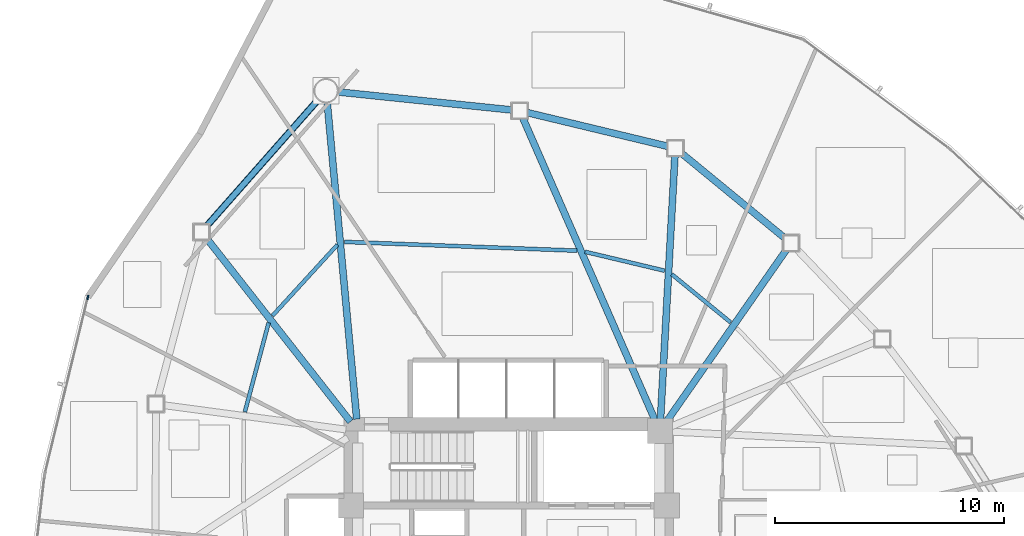
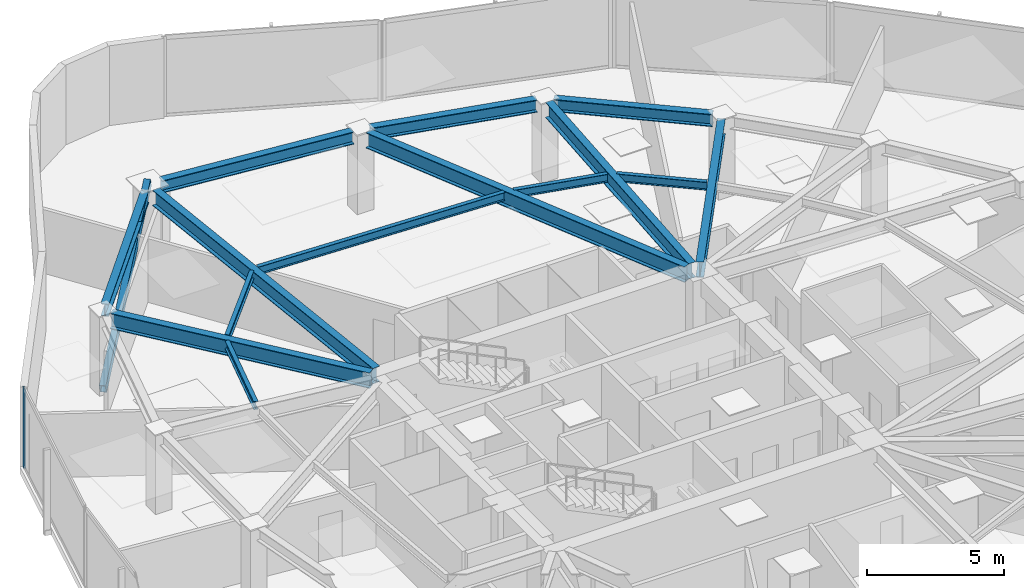
# One storey, part 7 of 17: 14 beams, 2 members, 1 element without a shape of its own.
"""IFC4 building model written with IfcOpenShell, lengths in metres."""

from ifc_helpers import new_model, si_unit, direction, frame, origin, origin_2d, place, context, subcontext, project, spatial, hollow_rectangle, i_section, extrude, source, transform, mapped, material, layer, layer_set, material_profile, profile_set, type_object, type_shapes, element, aggregate, save


model = new_model("IFC4")

# Units and contexts
model_context = context("Model", 3, precision=1e-05, world=origin(), true_north=direction((0.0, 1.0)))
body_context = subcontext(model_context, "Body", "Model", "MODEL_VIEW")
ifc_project = project(units=[si_unit("LENGTHUNIT", "METRE"), si_unit("AREAUNIT", "SQUARE_METRE"), si_unit("VOLUMEUNIT", "CUBIC_METRE"), si_unit("PLANEANGLEUNIT", "RADIAN"), si_unit("MASSUNIT", "GRAM", prefix="KILO")], contexts=[model_context])

# Site, building, storey
site_placement = place(None, origin())
site = spatial("IfcSite", under=ifc_project, at=site_placement, CompositionType="ELEMENT")
building_placement = place(site_placement, origin())
building = spatial("IfcBuilding", under=site, at=building_placement, Name="Tavelor Broadcast Tower", CompositionType="ELEMENT")
storey_placement = place(building_placement, frame((0.0, 0.0, 115.60009765625)))
storey = spatial("IfcBuildingStorey", under=building, at=storey_placement, Name="L26", CompositionType="ELEMENT", Elevation=115.60009765625)

# Beams
ifc_material_1 = material(Name="Steel S355", Category="steel")
ifc_material_profile_1 = material_profile(ifc_material_1, i_section(OverallWidth=0.169921875, OverallDepth=0.360107421875, WebThickness=0.008056640625, FlangeThickness=0.0126953125, at=origin_2d()), Name="IPE 360")
ifc_profile_set_1 = profile_set([ifc_material_profile_1], Name="Steel S355")
beam_type_1 = type_object("IfcBeamType", Name="Composite Floor Joist T3 IPE 360", PredefinedType="JOIST", material=ifc_profile_set_1)
beam_1_placement = place(storey_placement, frame((42.505126953125, 59.344970703125, 3.369873046875), z_axis=(-0.675177020038, -0.737655740581, 0.0), x_axis=(0.737655740581, -0.675177020038, 0.0)))
element("IfcBeam", 1, at=beam_1_placement, inside=storey, type_object=beam_type_1, Name="L26 Secondary Composite Floor Joist 01", PredefinedType="JOIST", context=body_context, shape_type="SweptSolid", body=[
    extrude(i_section(OverallWidth=0.169921875, OverallDepth=0.360107421875, WebThickness=0.008056640625, FlangeThickness=0.0126953125, at=origin_2d()), origin(), (0.0, 0.0, 1.0), 4.20068359375),
])
beam_2_placement = place(storey_placement, frame((39.5, 55.937744140625, 3.369873046875), z_axis=(-0.257647578953, -0.966238958571, 0.0), x_axis=(0.966238958571, -0.257647578953, 0.0)))
element("IfcBeam", 2, at=beam_2_placement, inside=storey, type_object=beam_type_1, Name="L26 Secondary Composite Floor Joist 02", PredefinedType="JOIST", context=body_context, shape_type="SweptSolid", body=[
    extrude(i_section(OverallWidth=0.169921875, OverallDepth=0.360107421875, WebThickness=0.008056640625, FlangeThickness=0.0126953125, at=origin_2d()), origin(), (0.0, 0.0, 1.0), 4.032958984375),
])
beam_3_placement = place(storey_placement, frame((59.6943359375, 55.951904296875, 3.369873046875), z_axis=(-0.774130723206, 0.633025768345, 0.0), x_axis=(-0.633025768345, -0.774130723206, 0.0)))
element("IfcBeam", 3, at=beam_3_placement, inside=storey, type_object=beam_type_1, Name="L26 Secondary Composite Floor Joist 16", PredefinedType="JOIST", context=body_context, shape_type="SweptSolid", body=[
    extrude(i_section(OverallWidth=0.169921875, OverallDepth=0.360107421875, WebThickness=0.008056640625, FlangeThickness=0.0126953125, at=origin_2d()), origin(), (0.0, 0.0, 1.0), 3.32373046875),
])
beam_4_placement = place(storey_placement, frame((56.80517578125, 58.21240234375, 3.369873046875), z_axis=(-0.972854549724, 0.231417426056, 0.0), x_axis=(-0.231417426056, -0.972854549724, 0.0)))
element("IfcBeam", 4, at=beam_4_placement, inside=storey, type_object=beam_type_1, Name="L26 Secondary Composite Floor Joist 17", PredefinedType="JOIST", context=body_context, shape_type="SweptSolid", body=[
    extrude(i_section(OverallWidth=0.169921875, OverallDepth=0.360107421875, WebThickness=0.008056640625, FlangeThickness=0.0126953125, at=origin_2d()), origin(), (0.0, 0.0, 1.0), 3.575439453125),
])
beam_5_placement = place(storey_placement, frame((52.969970703125, 59.08837890625, 3.369873046875), z_axis=(-0.999289376722, 0.037692725691, 0.0), x_axis=(-0.037692725691, -0.999289376722, 0.0)))
element("IfcBeam", 5, at=beam_5_placement, inside=storey, type_object=beam_type_1, Name="L26 Secondary Composite Floor Joist 18", PredefinedType="JOIST", context=body_context, shape_type="SweptSolid", body=[
    extrude(i_section(OverallWidth=0.169921875, OverallDepth=0.360107421875, WebThickness=0.008056640625, FlangeThickness=0.0126953125, at=origin_2d()), origin(), (0.0, 0.0, 1.0), 10.169189453125),
])
ifc_material_profile_2 = material_profile(ifc_material_1, i_section(OverallWidth=0.300048828125, OverallDepth=0.550048828125, WebThickness=0.014892578125, FlangeThickness=0.029052734375, at=origin_2d()), Name="HEB 550")
ifc_profile_set_2 = profile_set([ifc_material_profile_2], Name="Steel S355")
beam_type_2 = type_object("IfcBeamType", Name="Perimeter Spandrel Beam T3 HEB 550", PredefinedType="SPANDREL", material=ifc_profile_set_2)
beam_6_placement = place(storey_placement, frame((41.67236328125, 65.69580078125, 3.27490234375), z_axis=(-0.661628202511, -0.749832062292, 0.0), x_axis=(0.749832062292, -0.661628202511, 0.0)))
element("IfcBeam", 6, at=beam_6_placement, inside=storey, type_object=beam_type_2, Name="L26 Framed-Tube Ring Spandrel 01", PredefinedType="SPANDREL", context=body_context, shape_type="SweptSolid", body=[
    extrude(i_section(OverallWidth=0.300048828125, OverallDepth=0.550048828125, WebThickness=0.014892578125, FlangeThickness=0.029052734375, at=origin_2d()), origin(), (0.0, 0.0, 1.0), 7.379150390625),
])
beam_7_placement = place(storey_placement, frame((62.0712890625, 59.62939453125, 3.27490234375), z_axis=(-0.772702936962, 0.634767808896, 0.0), x_axis=(-0.634767808896, -0.772702936962, 0.0)))
element("IfcBeam", 7, at=beam_7_placement, inside=storey, type_object=beam_type_2, Name="L26 Framed-Tube Ring Spandrel 16", PredefinedType="SPANDREL", context=body_context, shape_type="SweptSolid", body=[
    extrude(i_section(OverallWidth=0.300048828125, OverallDepth=0.550048828125, WebThickness=0.014892578125, FlangeThickness=0.029052734375, at=origin_2d()), origin(), (0.0, 0.0, 1.0), 5.869140625),
])
beam_8_placement = place(storey_placement, frame((56.949951171875, 63.64697265625, 3.27490234375), z_axis=(-0.972363823797, 0.233470756565, 0.0), x_axis=(-0.233470756565, -0.972363823797, 0.0)))
element("IfcBeam", 8, at=beam_8_placement, inside=storey, type_object=beam_type_2, Name="L26 Framed-Tube Ring Spandrel 17", PredefinedType="SPANDREL", context=body_context, shape_type="SweptSolid", body=[
    extrude(i_section(OverallWidth=0.300048828125, OverallDepth=0.550048828125, WebThickness=0.014892578125, FlangeThickness=0.029052734375, at=origin_2d()), origin(), (0.0, 0.0, 1.0), 6.325439453125),
])
beam_9_placement = place(storey_placement, frame((50.13818359375, 65.23681640625, 3.27490234375), z_axis=(-0.994661371522, 0.103192809834, 0.0), x_axis=(-0.103192809834, -0.994661371522, 0.0)))
element("IfcBeam", 9, at=beam_9_placement, inside=storey, type_object=beam_type_2, Name="L26 Framed-Tube Ring Spandrel 18", PredefinedType="SPANDREL", context=body_context, shape_type="SweptSolid", body=[
    extrude(i_section(OverallWidth=0.300048828125, OverallDepth=0.550048828125, WebThickness=0.014892578125, FlangeThickness=0.029052734375, at=origin_2d()), origin(), (0.0, 0.0, 1.0), 7.658203125),
])

# Member
ifc_material_profile_3 = material_profile(ifc_material_1, hollow_rectangle(XDim=0.25, YDim=0.449951171875, WallThickness=0.02001953125, at=origin_2d()), Name="RHS 450x250x20")
ifc_profile_set_3 = profile_set([ifc_material_profile_3], Name="Steel S355")
member_type_1 = type_object("IfcMemberType", Name="Perimeter Tube Brace T3 RHS 450x250x20", PredefinedType="BRACE", material=ifc_profile_set_3)
member_1_placement = place(storey_placement, frame((36.567626953125, 59.91064453125, 0.0), z_axis=(0.607491147602, 0.688491783644, 0.396148418448), x_axis=(-0.74983872131, 0.661620655681, 0.0)))
element("IfcMember", 10, at=member_1_placement, inside=storey, type_object=member_type_1, Name="L26 Corner Tube Diagonal Brace 1", PredefinedType="BRACE", context=body_context, shape_type="SweptSolid", body=[
    extrude(hollow_rectangle(XDim=0.25, YDim=0.449951171875, WallThickness=0.02001953125, at=origin_2d()), origin(), (0.0, 0.0, 1.0), 8.960693359375),
])

# Beams
ifc_material_profile_4 = material_profile(ifc_material_1, i_section(OverallWidth=0.300048828125, OverallDepth=0.68994140625, WebThickness=0.014404296875, FlangeThickness=0.027099609375, at=origin_2d()), Name="HEA 700")
ifc_profile_set_4 = profile_set([ifc_material_profile_4], Name="Steel S355")
beam_type_3 = type_object("IfcBeamType", Name="Radial Floor Girder T3 HEA 700", PredefinedType="BEAM", material=ifc_profile_set_4)
beam_10_placement = place(storey_placement, frame((43.350830078125, 51.7255859375, 3.204833984375), z_axis=(-0.092918079293, 0.995673757081, 0.0), x_axis=(-0.995673757081, -0.092918079293, 0.0)))
element("IfcBeam", 11, at=beam_10_placement, inside=storey, type_object=beam_type_3, Name="L26 Radial Primary Floor Girder 01", PredefinedType="BEAM", context=body_context, shape_type="SweptSolid", body=[
    extrude(i_section(OverallWidth=0.300048828125, OverallDepth=0.68994140625, WebThickness=0.014404296875, FlangeThickness=0.027099609375, at=origin_2d()), origin(), (0.0, 0.0, 1.0), 13.904541015625),
])
beam_11_placement = place(storey_placement, frame((43.07421875, 51.615478515625, 3.204833984375), z_axis=(-0.617166360417, 0.786832690964, 0.0), x_axis=(-0.786832690964, -0.617166360417, 0.0)))
element("IfcBeam", 12, at=beam_11_placement, inside=storey, type_object=beam_type_3, Name="L26 Radial Primary Floor Girder 02", PredefinedType="BEAM", context=body_context, shape_type="SweptSolid", body=[
    extrude(i_section(OverallWidth=0.300048828125, OverallDepth=0.68994140625, WebThickness=0.014404296875, FlangeThickness=0.027099609375, at=origin_2d()), origin(), (0.0, 0.0, 1.0), 10.20654296875),
])
beam_12_placement = place(storey_placement, frame((56.902099609375, 51.633056640625, 3.204833984375), z_axis=(0.572088555537, 0.820191858423, 0.0), x_axis=(-0.820191858423, 0.572088555537, 0.0)))
element("IfcBeam", 13, at=beam_12_placement, inside=storey, type_object=beam_type_3, Name="L26 Radial Primary Floor Girder 16", PredefinedType="BEAM", context=body_context, shape_type="SweptSolid", body=[
    extrude(i_section(OverallWidth=0.300048828125, OverallDepth=0.68994140625, WebThickness=0.014404296875, FlangeThickness=0.027099609375, at=origin_2d()), origin(), (0.0, 0.0, 1.0), 9.1533203125),
])
beam_13_placement = place(storey_placement, frame((56.62890625, 51.727294921875, 3.204833984375), z_axis=(0.054621583664, 0.998507126964, 0.0), x_axis=(-0.998507126964, 0.054621583664, 0.0)))
element("IfcBeam", 14, at=beam_13_placement, inside=storey, type_object=beam_type_3, Name="L26 Radial Primary Floor Girder 17", PredefinedType="BEAM", context=body_context, shape_type="SweptSolid", body=[
    extrude(i_section(OverallWidth=0.300048828125, OverallDepth=0.68994140625, WebThickness=0.014404296875, FlangeThickness=0.027099609375, at=origin_2d()), origin(), (0.0, 0.0, 1.0), 11.522705078125),
])
beam_14_placement = place(storey_placement, frame((56.38818359375, 51.68359375, 3.204833984375), z_axis=(-0.400896102053, 0.916123526255, 0.0), x_axis=(-0.916123526255, -0.400896102053, 0.0)))
element("IfcBeam", 15, at=beam_14_placement, inside=storey, type_object=beam_type_3, Name="L26 Radial Primary Floor Girder 18", PredefinedType="BEAM", context=body_context, shape_type="SweptSolid", body=[
    extrude(i_section(OverallWidth=0.300048828125, OverallDepth=0.68994140625, WebThickness=0.014404296875, FlangeThickness=0.027099609375, at=origin_2d()), origin(), (0.0, 0.0, 1.0), 14.420166015625),
])

# Curtain wall, member
ifc_material_2 = material(Name="Architectural Anodized Aluminium", Category="aluminium")
ifc_layer = layer(ifc_material_2, 0.18994140625)
ifc_layer_set = layer_set([ifc_layer], Name="Architectural Anodized Aluminium")
curtain_wall_type = type_object("IfcCurtainWallType", Name="Tower Mid-Zone Acoustic Curtain Wall CW03", PredefinedType="NOTDEFINED", material=ifc_layer_set)
curtain_wall_placement = place(storey_placement, origin())
curtain_wall = element("IfcCurtainWall", 16, at=curtain_wall_placement, inside=storey, type_object=curtain_wall_type, Name="L26 Curtain Wall CW03 Run 253", PredefinedType="NOTDEFINED")
ifc_material_profile_5 = material_profile(ifc_material_2, hollow_rectangle(XDim=0.068115234375, YDim=0.18994140625, WallThickness=0.02197265625, at=origin_2d()), Name="RHS 68x190x22")
ifc_profile_set_5 = profile_set([ifc_material_profile_5], Name="Architectural Anodized Aluminium")
member_type_2 = type_object("IfcMemberType", Name="CW03 Extruded Aluminium Mullion 68x190", PredefinedType="MULLION", material=ifc_profile_set_5)
shared_shape = source(origin(), body_context, "Body", "SweptSolid", [
    extrude(hollow_rectangle(XDim=0.068115234375, YDim=0.18994140625, WallThickness=0.02197265625, at=origin_2d()), origin(), (0.0, 0.0, 1.0), 3.5498046875),
])
type_shapes(member_type_2, [shared_shape])
member_2_placement = place(storey_placement, frame((31.595458984375, 57.042236328125, 0.0), z_axis=(0.0, 0.0, 1.0), x_axis=(0.971651829054, -0.236416418839, 0.0)))
member_2 = element("IfcMember", 17, at=member_2_placement, type_object=member_type_2, Name="CW03 mullion 1", PredefinedType="MULLION", context=body_context, shape_type="MappedRepresentation", body=[
    mapped(shared_shape, transform((0.0, 0.0, 0.0), scale=1.0)),
])
aggregate(curtain_wall, [member_2])

save(model, "model.ifc")
